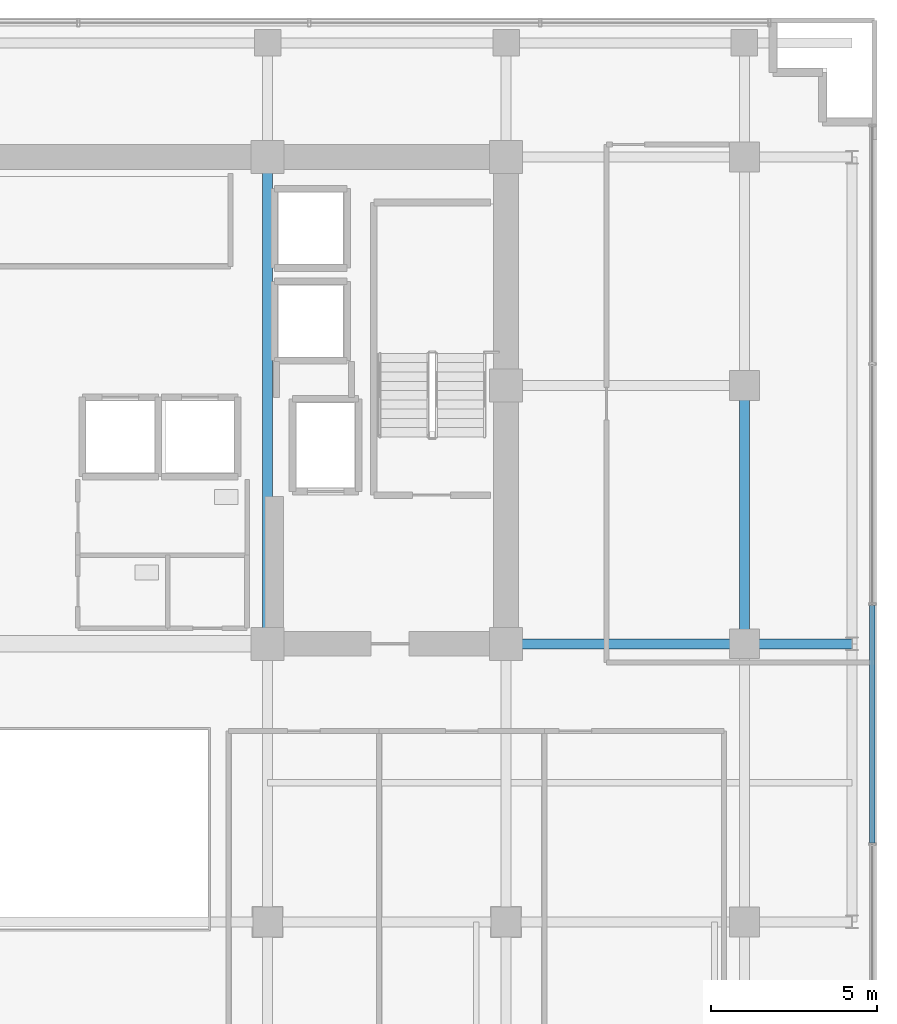
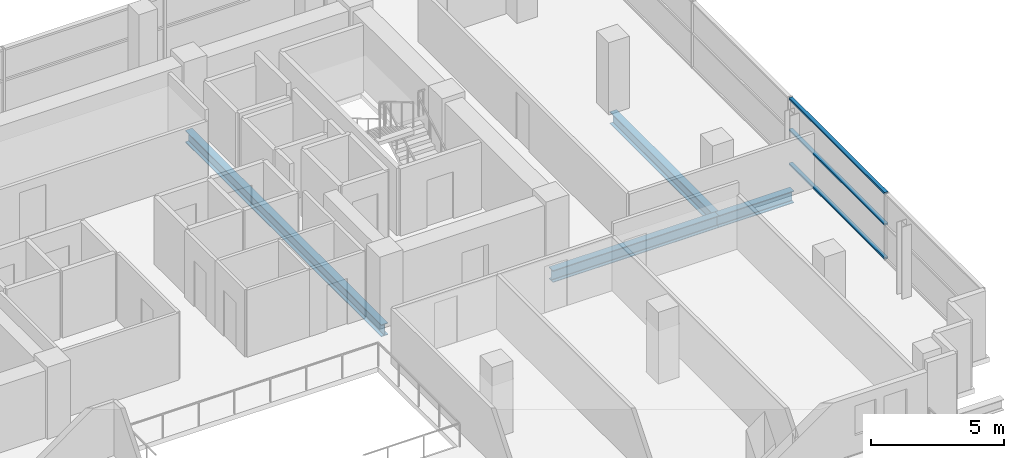
# One storey, part 13 of 28: 4 beams, 3 members, 1 element without a shape of its own.
"""IFC4 building model written with IfcOpenShell, lengths in metres."""

import ifcopenshell
import ifcopenshell.guid

model = None  # the IFC model being written
_history = None  # IfcOwnerHistory: only IFC2X3 demands one
_inside = {}  # id of a spatial element -> (the spatial element, [elements in it])
_under = {}  # id of a project, library or spatial element -> (it, [spatial elements below it])
_declared = {}  # id of a project -> (the project, [libraries it declares])
_typed = {}  # id of a type object -> (the type object, [elements of that type])
_made_of = {}  # id of a material, layer set ... -> (it, [elements and type objects made of it])


def new_model(schema):
    """Start an empty IFC model of exactly this schema.

    Asked for "IFC4X3", IfcOpenShell would pick the latest addendum, in which some entities
    have other attributes; the version numbers below select the first issue.
    IFC2X3 requires an IfcOwnerHistory on every rooted entity: one is made here for all.
    """
    global model, _history
    if schema == "IFC4X3":
        model = ifcopenshell.file(schema_version=(4, 3, 0, 0))
    else:
        model = ifcopenshell.file(schema=schema)
    _inside.clear()
    _under.clear()
    _declared.clear()
    _typed.clear()
    _made_of.clear()
    _history = None
    if model.schema == "IFC2X3":
        org = make("IfcOrganization", Name="unknown")
        user = make(
            "IfcPersonAndOrganization",
            ThePerson=make("IfcPerson", FamilyName="unknown"),
            TheOrganization=org,
        )
        app = make(
            "IfcApplication",
            ApplicationDeveloper=org,
            Version="unknown",
            ApplicationFullName="unknown",
            ApplicationIdentifier="unknown",
        )
        _history = make(
            "IfcOwnerHistory",
            OwningUser=user,
            OwningApplication=app,
            ChangeAction="ADDED",
            CreationDate=0,
        )
    return model


def make(cls, **values):
    """One entity of the class cls with the attributes given. An attribute that is None is left unset."""
    return model.create_entity(
        cls, **{name: value for name, value in values.items() if value is not None}
    )


def rooted(cls, **values):
    """An entity with a GlobalId (a new one), such as an element, a storey or a relation."""
    return make(cls, GlobalId=ifcopenshell.guid.new(), OwnerHistory=_history, **values)


def si_unit(unit_type, name, prefix=None):
    """IfcSIUnit, for example si_unit("LENGTHUNIT", "METRE", prefix="MILLI")."""
    return make("IfcSIUnit", UnitType=unit_type, Prefix=prefix, Name=name)


def assignment(units):
    """IfcUnitAssignment: the units of a project."""
    return None if units is None else make("IfcUnitAssignment", Units=units)


def point(xyz):
    """IfcCartesianPoint."""
    return None if xyz is None else make("IfcCartesianPoint", Coordinates=xyz)


def direction(xyz):
    """IfcDirection."""
    return None if xyz is None else make("IfcDirection", DirectionRatios=xyz)


def frame(location, z_axis=None, x_axis=None):
    """IfcAxis2Placement3D, a coordinate frame: its origin and axes. An axis left out is left unset."""
    return make(
        "IfcAxis2Placement3D",
        Location=point(location),
        Axis=direction(z_axis),
        RefDirection=direction(x_axis),
    )


def frame_2d(location, x_axis=None):
    """IfcAxis2Placement2D, a coordinate frame in the plane: its origin and x axis."""
    return make(
        "IfcAxis2Placement2D", Location=point(location), RefDirection=direction(x_axis)
    )


def origin():
    """The frame at (0, 0, 0) with its axes left unset."""
    return frame((0.0, 0.0, 0.0))


def origin_2d():
    """The frame at (0, 0) in the plane with its x axis left unset."""
    return frame_2d((0.0, 0.0))


def place(relative_to, where):
    """IfcLocalPlacement: puts the frame where relative to a parent placement (None: the world)."""
    return make(
        "IfcLocalPlacement", PlacementRelTo=relative_to, RelativePlacement=where
    )


def context(
    kind, dimensions, precision=None, world=None, true_north=None, identifier=None
):
    """IfcGeometricRepresentationContext, for example the 3D "Model" context."""
    return make(
        "IfcGeometricRepresentationContext",
        ContextIdentifier=identifier,
        ContextType=kind,
        CoordinateSpaceDimension=dimensions,
        Precision=precision,
        WorldCoordinateSystem=world,
        TrueNorth=true_north,
    )


def subcontext(parent, identifier, kind, view, scale=None):
    """IfcGeometricRepresentationSubContext, for example "Body" below "Model"."""
    return make(
        "IfcGeometricRepresentationSubContext",
        ContextIdentifier=identifier,
        ContextType=kind,
        ParentContext=parent,
        TargetScale=scale,
        TargetView=view,
    )


def project(units=None, contexts=None):
    """IfcProject with its units and contexts."""
    return rooted(
        "IfcProject",
        Name="project",
        RepresentationContexts=contexts,
        UnitsInContext=assignment(units),
    )


def spatial(cls, under=None, at=None, **own):
    """A site, building, storey or space (cls), placed at a placement, below another one or the project."""
    s = rooted(cls, ObjectPlacement=at, **own)
    if under is not None:
        _under.setdefault(under.id(), (under, []))[1].append(s)
    return s


def profile(cls, at=None, kind="AREA", **sizes):
    """A parametric profile (cls). Its sizes go by their IFC names, for example OverallWidth=200.0."""
    return make(cls, ProfileType=kind, Position=at, **sizes)


def hollow_rectangle(**sizes):
    """IfcRectangleHollowProfileDef."""
    return profile("IfcRectangleHollowProfileDef", **sizes)


def i_section(**sizes):
    """IfcIShapeProfileDef."""
    return profile("IfcIShapeProfileDef", **sizes)


def extrude(swept, where, along, depth):
    """IfcExtrudedAreaSolid: the profile swept, set in the frame where, extruded along a direction by depth."""
    return make(
        "IfcExtrudedAreaSolid",
        SweptArea=swept,
        Position=where,
        ExtrudedDirection=direction(along),
        Depth=depth,
    )


def shape(context_of_items, identifier, shape_type, items):
    """IfcShapeRepresentation: the items that make up one representation, for example the "Body"."""
    return make(
        "IfcShapeRepresentation",
        ContextOfItems=context_of_items,
        RepresentationIdentifier=identifier,
        RepresentationType=shape_type,
        Items=items,
    )


def source(mapping_origin, context_of_items, identifier, shape_type, items):
    """IfcRepresentationMap: a shape defined once, which mapped items show again and again."""
    return make(
        "IfcRepresentationMap",
        MappingOrigin=mapping_origin,
        MappedRepresentation=shape(context_of_items, identifier, shape_type, items),
    )


def transform(
    local_origin,
    x_axis=None,
    y_axis=None,
    z_axis=None,
    scale=None,
    scale2=None,
    scale3=None,
    uniform=True,
):
    """IfcCartesianTransformationOperator3D, or its non-uniform kind. x_axis, y_axis, z_axis: its Axis1, 2, 3."""
    if uniform:
        return make(
            "IfcCartesianTransformationOperator3D",
            Axis1=direction(x_axis),
            Axis2=direction(y_axis),
            LocalOrigin=point(local_origin),
            Scale=scale,
            Axis3=direction(z_axis),
        )
    return make(
        "IfcCartesianTransformationOperator3DnonUniform",
        Axis1=direction(x_axis),
        Axis2=direction(y_axis),
        LocalOrigin=point(local_origin),
        Scale=scale,
        Axis3=direction(z_axis),
        Scale2=scale2,
        Scale3=scale3,
    )


def mapped(mapping_source, mapping_target):
    """IfcMappedItem: shows the shape of a source again, moved by a transform."""
    return make(
        "IfcMappedItem", MappingSource=mapping_source, MappingTarget=mapping_target
    )


def material(Name=None, Category=None):
    """IfcMaterial."""
    return make("IfcMaterial", Name=Name, Category=Category)


def layer(
    of_material, thickness, ventilated=None, Name=None, Category=None, Priority=None
):
    """IfcMaterialLayer: one layer of a wall or slab, of a material (None: an air gap)."""
    return make(
        "IfcMaterialLayer",
        Material=of_material,
        LayerThickness=thickness,
        IsVentilated=ventilated,
        Name=Name,
        Category=Category,
        Priority=Priority,
    )


def layer_set(layers, Name=None):
    """IfcMaterialLayerSet."""
    return make("IfcMaterialLayerSet", MaterialLayers=layers, LayerSetName=Name)


def material_profile(
    of_material, cross_section, Name=None, Category=None, Priority=None
):
    """IfcMaterialProfile: a cross section and its material."""
    return make(
        "IfcMaterialProfile",
        Name=Name,
        Material=of_material,
        Profile=cross_section,
        Priority=Priority,
        Category=Category,
    )


def profile_set(profiles, Name=None, composite=None):
    """IfcMaterialProfileSet."""
    return make(
        "IfcMaterialProfileSet",
        Name=Name,
        MaterialProfiles=profiles,
        CompositeProfile=composite,
    )


def made_of(thing, what):
    """Note that an element or type object is made of a material, layer set ...; save() writes the relation."""
    if what is not None:
        _made_of.setdefault(what.id(), (what, []))[1].append(thing)
    return thing


def type_object(cls, material=None, **own):
    """A type object (cls), such as IfcWallType, which elements share."""
    return made_of(rooted(cls, **own), material)


def element(
    cls,
    number,
    at=None,
    inside=None,
    cuts=None,
    type_object=None,
    material=None,
    context=None,
    identifier="Body",
    shape_type=None,
    held_by="IfcProductDefinitionShape",
    body=None,
    shapes=None,
    **own,
):
    """One element of the class cls, such as IfcWall. Its Tag is "e" and its number.

    at: its placement. inside: the storey or other place that contains it. cuts: it is an
    opening in that element (IfcRelVoidsElement). A single representation is given by context,
    identifier, shape_type and body (its items); several are given by shapes. held_by: the class
    of the entity that holds the representations. save() writes the other relations.
    """
    e = rooted(cls, Tag="e%d" % number, ObjectPlacement=at, **own)
    if body is not None:
        shapes = [shape(context, identifier, shape_type, body)]
    if shapes is not None:
        e.Representation = make(held_by, Representations=shapes)
    if inside is not None:
        _inside.setdefault(inside.id(), (inside, []))[1].append(e)
    if cuts is not None:
        rooted(
            "IfcRelVoidsElement", RelatingBuildingElement=cuts, RelatedOpeningElement=e
        )
    if type_object is not None:
        _typed.setdefault(type_object.id(), (type_object, []))[1].append(e)
    return made_of(e, material)


def aggregate(whole, parts):
    """IfcRelAggregates: a whole, such as a stair, and the parts it consists of."""
    return rooted("IfcRelAggregates", RelatingObject=whole, RelatedObjects=parts)


def save(model, path):
    """Write the relations noted so far, then the file.

    IfcRelAggregates (storeys below a building ...), IfcRelContainedInSpatialStructure (elements
    in a storey), IfcRelDefinesByType, IfcRelAssociatesMaterial and IfcRelDeclares: one each for
    every whole, place, type object, material and project.
    """
    for whole, parts in _under.values():
        aggregate(whole, parts)
    for where, things in _inside.values():
        rooted(
            "IfcRelContainedInSpatialStructure",
            RelatedElements=things,
            RelatingStructure=where,
        )
    for kind, things in _typed.values():
        rooted("IfcRelDefinesByType", RelatedObjects=things, RelatingType=kind)
    for what, things in _made_of.values():
        rooted("IfcRelAssociatesMaterial", RelatedObjects=things, RelatingMaterial=what)
    for by, libraries in _declared.values():
        rooted("IfcRelDeclares", RelatingContext=by, RelatedDefinitions=libraries)
    model.write(path)


model = new_model("IFC4")

# Units and contexts
model_context = context("Model", 3, precision=1e-05, world=origin(), true_north=direction((0.0, 1.0)))
body_context = subcontext(model_context, "Body", "Model", "MODEL_VIEW")
ifc_project = project(units=[si_unit("LENGTHUNIT", "METRE"), si_unit("AREAUNIT", "SQUARE_METRE"), si_unit("VOLUMEUNIT", "CUBIC_METRE"), si_unit("PLANEANGLEUNIT", "RADIAN"), si_unit("MASSUNIT", "GRAM", prefix="KILO")], contexts=[model_context])

# Site, building, storey
site_placement = place(None, origin())
site = spatial("IfcSite", under=ifc_project, at=site_placement, CompositionType="ELEMENT")
building_placement = place(site_placement, origin())
building = spatial("IfcBuilding", under=site, at=building_placement, Name="Zarnakvel Exchange Tower", CompositionType="ELEMENT")
storey_placement = place(building_placement, frame((0.0, 0.0, 109.89990234375)))
storey = spatial("IfcBuildingStorey", under=building, at=storey_placement, Name="L30", CompositionType="ELEMENT", Elevation=109.89990234375)

# Beams
ifc_material_1 = material(Name="Steel S355", Category="steel")
ifc_material_profile_1 = material_profile(ifc_material_1, i_section(OverallWidth=0.300048828125, OverallDepth=0.550048828125, WebThickness=0.014892578125, FlangeThickness=0.029052734375, FilletRadius=0.027099609375, at=origin_2d()))
ifc_profile_set_1 = profile_set([ifc_material_profile_1], Name="Steel S355")
beam_type = type_object("IfcBeamType", Name="G-05", PredefinedType="BEAM", material=ifc_profile_set_1)
beam_1_placement = place(storey_placement, frame((14.39990234375, -1.199951171875, -0.5), z_axis=(1.0, 0.0, 0.0), x_axis=(0.0, 1.0, 0.0)))
element("IfcBeam", 1, at=beam_1_placement, inside=storey, type_object=beam_type, Name="L30 Tower E-W Frame Beam", PredefinedType="BEAM", context=body_context, shape_type="SweptSolid", body=[
    extrude(i_section(OverallWidth=0.300048828125, OverallDepth=0.550048828125, WebThickness=0.014892578125, FlangeThickness=0.029052734375, FilletRadius=0.027099609375, at=origin_2d()), origin(), (0.0, 0.0, 1.0), 7.2001953125),
])
beam_2_placement = place(storey_placement, frame((21.60009765625, -1.199951171875, -0.5), z_axis=(1.0, 0.0, 0.0), x_axis=(0.0, 1.0, 0.0)))
element("IfcBeam", 2, at=beam_2_placement, inside=storey, type_object=beam_type, Name="L30 Tower E-W Frame Beam", PredefinedType="BEAM", context=body_context, shape_type="SweptSolid", body=[
    extrude(i_section(OverallWidth=0.300048828125, OverallDepth=0.550048828125, WebThickness=0.014892578125, FlangeThickness=0.029052734375, FilletRadius=0.027099609375, at=origin_2d()), origin(), (0.0, 0.0, 1.0), 3.25),
])
beam_3_placement = place(storey_placement, frame((7.199951171875, -1.199951171875, -0.5), z_axis=(0.0, 1.0, 0.0), x_axis=(-1.0, 0.0, 0.0)))
element("IfcBeam", 3, at=beam_3_placement, inside=storey, type_object=beam_type, Name="L30 Tower N-S Frame Beam", PredefinedType="BEAM", context=body_context, shape_type="SweptSolid", body=[
    extrude(i_section(OverallWidth=0.300048828125, OverallDepth=0.550048828125, WebThickness=0.014892578125, FlangeThickness=0.029052734375, FilletRadius=0.027099609375, at=origin_2d()), origin(), (0.0, 0.0, 1.0), 14.699951171875),
])
beam_4_placement = place(storey_placement, frame((21.60009765625, -1.199951171875, -0.5), z_axis=(0.0, 1.0, 0.0), x_axis=(-1.0, 0.0, 0.0)))
element("IfcBeam", 4, at=beam_4_placement, inside=storey, type_object=beam_type, Name="L30 Tower N-S Frame Beam", PredefinedType="BEAM", context=body_context, shape_type="SweptSolid", body=[
    extrude(i_section(OverallWidth=0.300048828125, OverallDepth=0.550048828125, WebThickness=0.014892578125, FlangeThickness=0.029052734375, FilletRadius=0.027099609375, at=origin_2d()), origin(), (0.0, 0.0, 1.0), 7.800048828125),
])

# Curtain wall, members
ifc_material_2 = material(Name="Architectural Bronze Anodised Aluminium", Category="aluminium")
ifc_layer = layer(ifc_material_2, 0.199951171875)
ifc_layer_set = layer_set([ifc_layer], Name="Architectural Bronze Anodised Aluminium")
curtain_wall_type = type_object("IfcCurtainWallType", Name="CW-04", PredefinedType="NOTDEFINED", material=ifc_layer_set)
curtain_wall_placement = place(storey_placement, origin())
curtain_wall = element("IfcCurtainWall", 5, at=curtain_wall_placement, inside=storey, type_object=curtain_wall_type, Name="L30 Curtain Wall CW-L30-E1 (CW-04)", PredefinedType="NOTDEFINED")
ifc_material_profile_2 = material_profile(ifc_material_2, hollow_rectangle(XDim=0.159912109375, YDim=0.074951171875, WallThickness=0.00390625, at=origin_2d()))
ifc_profile_set_2 = profile_set([ifc_material_profile_2], Name="Architectural Bronze Anodised Aluminium")
member_type = type_object("IfcMemberType", Name="CWT-04", PredefinedType="USERDEFINED", material=ifc_profile_set_2)
shared_shape = source(origin(), body_context, "Body", "SweptSolid", [
    extrude(hollow_rectangle(XDim=0.159912109375, YDim=0.074951171875, WallThickness=0.00390625, at=origin_2d()), origin(), (0.0, 0.0, 1.0), 7.1748046875),
])
member_1_placement = place(storey_placement, frame((25.4599609375, -7.21240234375, 0.03759765625), z_axis=(0.0, 1.0, 0.0), x_axis=(-1.0, 0.0, 0.0)))
member_1 = element("IfcMember", 6, at=member_1_placement, type_object=member_type, Name="CW-04 transom 2.1", ObjectType="TRANSOM", PredefinedType="USERDEFINED", context=body_context, shape_type="MappedRepresentation", body=[
    mapped(shared_shape, transform((0.0, 0.0, 0.0), x_axis=(1.0, 0.0, 0.0), y_axis=(0.0, 1.0, 0.0), z_axis=(0.0, 0.0, 1.0), scale=1.0)),
])
member_2_placement = place(storey_placement, frame((25.4599609375, -7.21240234375, 1.588623046875), z_axis=(0.0, 1.0, 0.0), x_axis=(-1.0, 0.0, 0.0)))
member_2 = element("IfcMember", 7, at=member_2_placement, type_object=member_type, Name="CW-04 transom 2.2", ObjectType="TRANSOM", PredefinedType="USERDEFINED", context=body_context, shape_type="MappedRepresentation", body=[
    mapped(shared_shape, transform((0.0, 0.0, 0.0), x_axis=(1.0, 0.0, 0.0), y_axis=(0.0, 1.0, 0.0), z_axis=(0.0, 0.0, 1.0), scale=1.0)),
])
member_3_placement = place(storey_placement, frame((25.4599609375, -7.21240234375, 3.017578125), z_axis=(0.0, 1.0, 0.0), x_axis=(-1.0, 0.0, 0.0)))
member_3 = element("IfcMember", 8, at=member_3_placement, type_object=member_type, Name="CW-04 transom 2.3", ObjectType="TRANSOM", PredefinedType="USERDEFINED", context=body_context, shape_type="MappedRepresentation", body=[
    mapped(shared_shape, transform((0.0, 0.0, 0.0), x_axis=(1.0, 0.0, 0.0), y_axis=(0.0, 1.0, 0.0), z_axis=(0.0, 0.0, 1.0), scale=1.0)),
])
aggregate(curtain_wall, [member_1, member_2, member_3])

save(model, "model.ifc")
